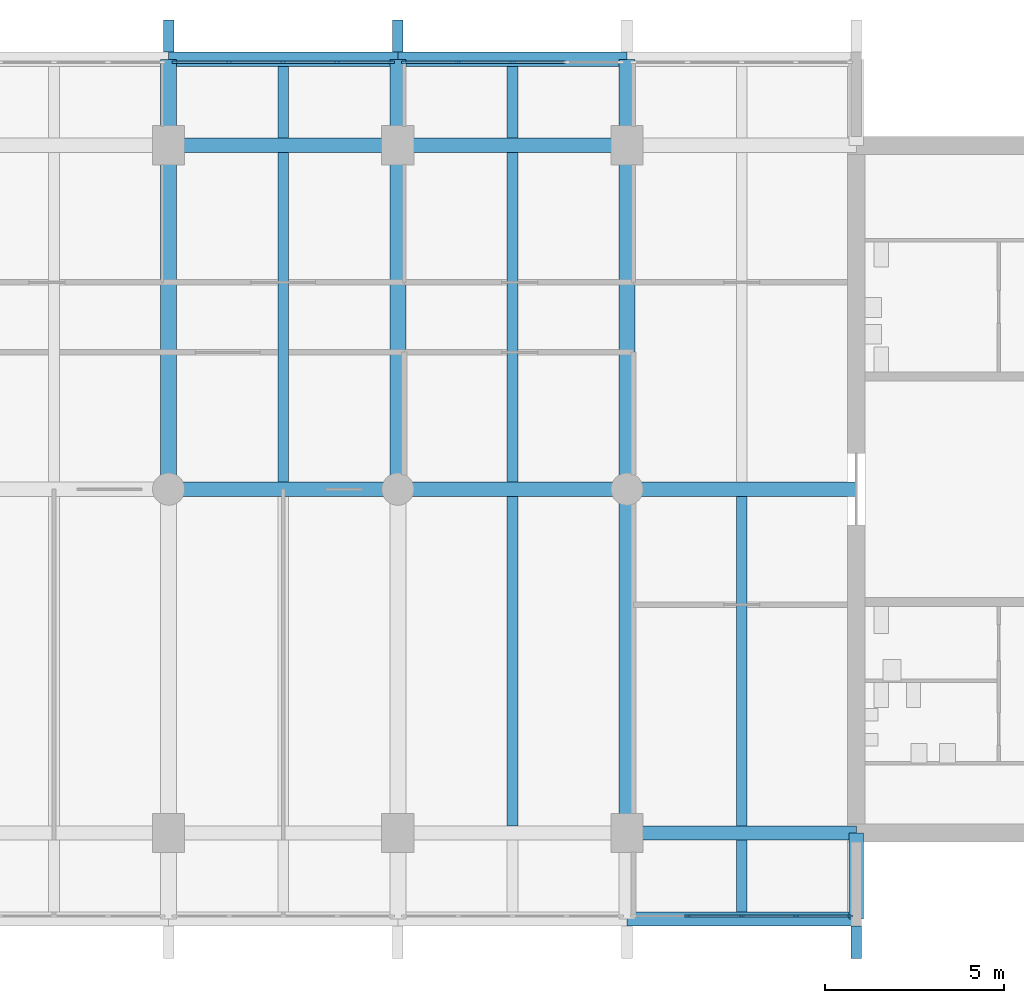
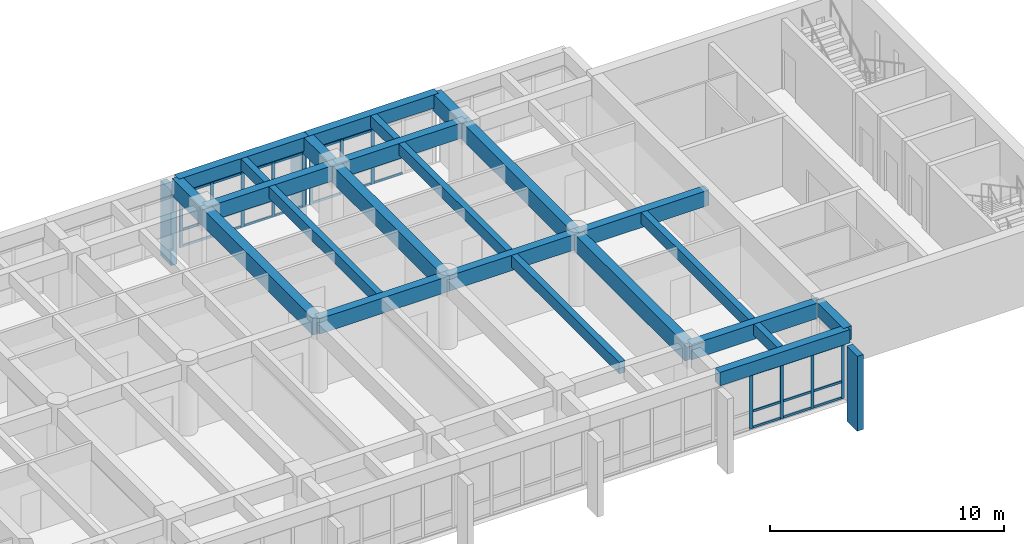
# One storey, part 5 of 15: 44 members, 24 beams, 3 elements without a shape of their own.
"""IFC4 building model written with IfcOpenShell, lengths in metres."""

from ifc_helpers import new_model, si_unit, direction, frame, origin, origin_2d, place, context, subcontext, project, spatial, rectangle, extrude, material, layer, layer_set, material_profile, profile_set, type_object, element, aggregate, save


model = new_model("IFC4")

# Units and contexts
model_context = context("Model", 3, precision=1e-05, world=origin(), true_north=direction((0.0, 1.0)))
body_context = subcontext(model_context, "Body", "Model", "MODEL_VIEW")
ifc_project = project(units=[si_unit("LENGTHUNIT", "METRE"), si_unit("AREAUNIT", "SQUARE_METRE"), si_unit("VOLUMEUNIT", "CUBIC_METRE"), si_unit("PLANEANGLEUNIT", "RADIAN"), si_unit("MASSUNIT", "GRAM", prefix="KILO")], contexts=[model_context])

# Site, building, storey
site_placement = place(None, origin())
site = spatial("IfcSite", under=ifc_project, at=site_placement, CompositionType="ELEMENT")
building_placement = place(site_placement, origin())
building = spatial("IfcBuilding", under=site, at=building_placement, Name="Fogon Plaza Fire Station and Headquarters Tower", CompositionType="ELEMENT")
storey_placement = place(building_placement, frame((0.0, 0.0, 44.39990234375)))
storey = spatial("IfcBuildingStorey", under=building, at=storey_placement, Name="L11", CompositionType="ELEMENT", Elevation=44.39990234375)

# Beams
ifc_material_1 = material(Name="Concrete C40", Category="concrete")
ifc_material_profile_1 = material_profile(ifc_material_1, rectangle(XDim=0.39990234375, YDim=0.699951171875, at=origin_2d()), Name="RC 400x700")
ifc_profile_set_1 = profile_set([ifc_material_profile_1], Name="Concrete C40")
beam_type_1 = type_object("IfcBeamType", Name="BEAM RC 400x700", PredefinedType="BEAM", material=ifc_profile_set_1)
for number, where, z_axis, x_axis, name in (
    (1, (57.60009765625, 31.199951171875, 3.330078125), (1.0, 0.0, 0.0), (0.0, 1.0, 0.0), "beam-L11-044"),
    (2, (44.800048828125, 55.199951171875, 3.330078125), (1.0, 0.0, 0.0), (0.0, 1.0, 0.0), "beam-L11-048"),
):
    element("IfcBeam", number, at=place(storey_placement, frame(where, z_axis=z_axis, x_axis=x_axis)), inside=storey, type_object=beam_type_1, Name=name, PredefinedType="BEAM", context=body_context, shape_type="SweptSolid", body=[
        extrude(rectangle(XDim=0.39990234375, YDim=0.699951171875, at=origin_2d()), origin(), (0.0, 0.0, 1.0), 6.39990234375),
    ])
beam_1_placement = place(storey_placement, frame((51.199951171875, 55.199951171875, 3.330078125), z_axis=(1.0, 0.0, 0.0), x_axis=(0.0, 1.0, 0.0)))
element("IfcBeam", 3, at=beam_1_placement, inside=storey, type_object=beam_type_1, Name="beam-L11-049", PredefinedType="BEAM", context=body_context, shape_type="SweptSolid", body=[
    extrude(rectangle(XDim=0.39990234375, YDim=0.699951171875, at=origin_2d()), origin(), (0.0, 0.0, 1.0), 6.400146484375),
])
ifc_material_2 = material(Name="Concrete C40", Category="concrete")
ifc_material_profile_2 = material_profile(ifc_material_2, rectangle(XDim=0.39990234375, YDim=0.699951171875, at=origin_2d()), Name="RC 400x700")
ifc_profile_set_2 = profile_set([ifc_material_profile_2], Name="Concrete C40")
beam_type_2 = type_object("IfcBeamType", Name="BEAM RC 400x700 SPAN 0.0 TO 3.0 M", PredefinedType="BEAM", material=ifc_profile_set_2)
beam_2_placement = place(storey_placement, frame((64.0, 31.199951171875, 3.330078125), z_axis=(0.0, 1.0, 0.0), x_axis=(-1.0, 0.0, 0.0)))
element("IfcBeam", 4, at=beam_2_placement, inside=storey, type_object=beam_type_2, Name="beam-L11-053", PredefinedType="BEAM", context=body_context, shape_type="SweptSolid", body=[
    extrude(rectangle(XDim=0.39990234375, YDim=0.699951171875, at=origin_2d()), origin(), (0.0, 0.0, 1.0), 2.400146484375),
])
ifc_material_3 = material(Name="Concrete C40", Category="concrete")
ifc_material_profile_3 = material_profile(ifc_material_3, rectangle(XDim=0.39990234375, YDim=0.800048828125, at=origin_2d()), Name="RC 400x800")
ifc_profile_set_3 = profile_set([ifc_material_profile_3], Name="Concrete C40")
beam_type_3 = type_object("IfcBeamType", Name="BEAM RC 400x800", PredefinedType="BEAM", material=ifc_profile_set_3)
for number, where, z_axis, x_axis, name in (
    (5, (57.60009765625, 33.60009765625, 3.280029296875), (1.0, 0.0, 0.0), (0.0, 1.0, 0.0), "beam-L11-026"),
    (6, (44.800048828125, 43.199951171875, 3.280029296875), (1.0, 0.0, 0.0), (0.0, 1.0, 0.0), "beam-L11-030"),
):
    element("IfcBeam", number, at=place(storey_placement, frame(where, z_axis=z_axis, x_axis=x_axis)), inside=storey, type_object=beam_type_3, Name=name, PredefinedType="BEAM", context=body_context, shape_type="SweptSolid", body=[
        extrude(rectangle(XDim=0.39990234375, YDim=0.800048828125, at=origin_2d()), origin(), (0.0, 0.0, 1.0), 6.39990234375),
    ])
beam_3_placement = place(storey_placement, frame((51.199951171875, 43.199951171875, 3.280029296875), z_axis=(1.0, 0.0, 0.0), x_axis=(0.0, 1.0, 0.0)))
element("IfcBeam", 7, at=beam_3_placement, inside=storey, type_object=beam_type_3, Name="beam-L11-031", PredefinedType="BEAM", context=body_context, shape_type="SweptSolid", body=[
    extrude(rectangle(XDim=0.39990234375, YDim=0.800048828125, at=origin_2d()), origin(), (0.0, 0.0, 1.0), 6.400146484375),
])
for number, where, z_axis, x_axis, name in (
    (8, (57.60009765625, 43.199951171875, 3.280029296875), (1.0, 0.0, 0.0), (0.0, 1.0, 0.0), "beam-L11-032"),
    (9, (44.800048828125, 52.800048828125, 3.280029296875), (1.0, 0.0, 0.0), (0.0, 1.0, 0.0), "beam-L11-036"),
):
    element("IfcBeam", number, at=place(storey_placement, frame(where, z_axis=z_axis, x_axis=x_axis)), inside=storey, type_object=beam_type_3, Name=name, PredefinedType="BEAM", context=body_context, shape_type="SweptSolid", body=[
        extrude(rectangle(XDim=0.39990234375, YDim=0.800048828125, at=origin_2d()), origin(), (0.0, 0.0, 1.0), 6.39990234375),
    ])
beam_4_placement = place(storey_placement, frame((51.199951171875, 52.800048828125, 3.280029296875), z_axis=(1.0, 0.0, 0.0), x_axis=(0.0, 1.0, 0.0)))
element("IfcBeam", 10, at=beam_4_placement, inside=storey, type_object=beam_type_3, Name="beam-L11-037", PredefinedType="BEAM", context=body_context, shape_type="SweptSolid", body=[
    extrude(rectangle(XDim=0.39990234375, YDim=0.800048828125, at=origin_2d()), origin(), (0.0, 0.0, 1.0), 6.400146484375),
])
ifc_material_4 = material(Name="Concrete C40", Category="concrete")
ifc_material_profile_4 = material_profile(ifc_material_4, rectangle(XDim=0.449951171875, YDim=0.89990234375, at=origin_2d()), Name="RC 450x900")
ifc_profile_set_4 = profile_set([ifc_material_profile_4], Name="Concrete C40")
beam_type_4 = type_object("IfcBeamType", Name="BEAM RC 450x900", PredefinedType="BEAM", material=ifc_profile_set_4)
for number, where, z_axis, x_axis, name in (
    (11, (44.800048828125, 43.199951171875, 3.22998046875), (0.0, 1.0, 0.0), (-1.0, 0.0, 0.0), "beam-L11-011"),
    (12, (51.199951171875, 43.199951171875, 3.22998046875), (0.0, 1.0, 0.0), (-1.0, 0.0, 0.0), "beam-L11-015"),
):
    element("IfcBeam", number, at=place(storey_placement, frame(where, z_axis=z_axis, x_axis=x_axis)), inside=storey, type_object=beam_type_4, Name=name, PredefinedType="BEAM", context=body_context, shape_type="SweptSolid", body=[
        extrude(rectangle(XDim=0.449951171875, YDim=0.89990234375, at=origin_2d()), origin(), (0.0, 0.0, 1.0), 9.60009765625),
    ])
beam_5_placement = place(storey_placement, frame((57.60009765625, 33.60009765625, 3.22998046875), z_axis=(0.0, 1.0, 0.0), x_axis=(-1.0, 0.0, 0.0)))
element("IfcBeam", 13, at=beam_5_placement, inside=storey, type_object=beam_type_4, Name="beam-L11-018", PredefinedType="BEAM", context=body_context, shape_type="SweptSolid", body=[
    extrude(rectangle(XDim=0.449951171875, YDim=0.89990234375, at=origin_2d()), origin(), (0.0, 0.0, 1.0), 9.599853515625),
])
beam_6_placement = place(storey_placement, frame((57.60009765625, 43.199951171875, 3.22998046875), z_axis=(0.0, 1.0, 0.0), x_axis=(-1.0, 0.0, 0.0)))
element("IfcBeam", 14, at=beam_6_placement, inside=storey, type_object=beam_type_4, Name="beam-L11-019", PredefinedType="BEAM", context=body_context, shape_type="SweptSolid", body=[
    extrude(rectangle(XDim=0.449951171875, YDim=0.89990234375, at=origin_2d()), origin(), (0.0, 0.0, 1.0), 9.60009765625),
])
ifc_material_5 = material(Name="Concrete C40", Category="concrete")
ifc_material_profile_5 = material_profile(ifc_material_5, rectangle(XDim=0.449951171875, YDim=0.89990234375, at=origin_2d()), Name="RC 450x900")
ifc_profile_set_5 = profile_set([ifc_material_profile_5], Name="Concrete C40")
beam_type_5 = type_object("IfcBeamType", Name="BEAM RC 450x900 SPAN 0.0 TO 3.0 M", PredefinedType="BEAM", material=ifc_profile_set_5)
for number, where, z_axis, x_axis, name in (
    (15, (44.800048828125, 52.800048828125, 3.22998046875), (0.0, 1.0, 0.0), (-1.0, 0.0, 0.0), "beam-L11-012"),
    (16, (51.199951171875, 52.800048828125, 3.22998046875), (0.0, 1.0, 0.0), (-1.0, 0.0, 0.0), "beam-L11-016"),
    (17, (57.60009765625, 52.800048828125, 3.22998046875), (0.0, 1.0, 0.0), (-1.0, 0.0, 0.0), "beam-L11-020"),
):
    element("IfcBeam", number, at=place(storey_placement, frame(where, z_axis=z_axis, x_axis=x_axis)), inside=storey, type_object=beam_type_5, Name=name, PredefinedType="BEAM", context=body_context, shape_type="SweptSolid", body=[
        extrude(rectangle(XDim=0.449951171875, YDim=0.89990234375, at=origin_2d()), origin(), (0.0, 0.0, 1.0), 2.39990234375),
    ])

# Curtain wall, members
ifc_material_6 = material(Name="Aluminium and glass", Category="aluminium")
ifc_layer = layer(ifc_material_6, 0.14990234375)
ifc_layer_set = layer_set([ifc_layer], Name="Aluminium and glass")
curtain_wall_type = type_object("IfcCurtainWallType", Name="Unitised Curtain Wall Run 6100x2880", PredefinedType="NOTDEFINED", material=ifc_layer_set)
curtain_wall_1_placement = place(storey_placement, origin())
curtain_wall_1 = element("IfcCurtainWall", 18, at=curtain_wall_1_placement, inside=storey, type_object=curtain_wall_type, Name="CW-6100x2880 S6 L11", PredefinedType="NOTDEFINED")
ifc_material_7 = material(Name="Aluminium", Category="aluminium")
ifc_material_profile_6 = material_profile(ifc_material_7, rectangle(XDim=0.06005859375, YDim=0.159912109375, at=origin_2d()), Name="Curtain Wall Mullion 60x160")
ifc_profile_set_6 = profile_set([ifc_material_profile_6], Name="Aluminium")
member_type_1 = type_object("IfcMemberType", Name="Curtain Wall Mullion 60x160", PredefinedType="MULLION", material=ifc_profile_set_6)
member_1_placement = place(storey_placement, frame((59.2900390625, 31.280029296875, 0.0), z_axis=(0.0, 0.0, 1.0), x_axis=(0.0, 1.0, 0.0)))
member_1 = element("IfcMember", 19, at=member_1_placement, type_object=member_type_1, Name="CW-6100x2880 mullion 2", PredefinedType="MULLION", context=body_context, shape_type="SweptSolid", body=[
    extrude(rectangle(XDim=0.06005859375, YDim=0.159912109375, at=origin_2d()), origin(), (0.0, 0.0, 1.0), 2.880126953125),
])
member_2_placement = place(storey_placement, frame((60.800048828125, 31.280029296875, 0.0), z_axis=(0.0, 0.0, 1.0), x_axis=(0.0, 1.0, 0.0)))
member_2 = element("IfcMember", 20, at=member_2_placement, type_object=member_type_1, Name="CW-6100x2880 mullion 3", PredefinedType="MULLION", context=body_context, shape_type="SweptSolid", body=[
    extrude(rectangle(XDim=0.06005859375, YDim=0.159912109375, at=origin_2d()), origin(), (0.0, 0.0, 1.0), 2.880126953125),
])
member_3_placement = place(storey_placement, frame((62.31005859375, 31.280029296875, 0.0), z_axis=(0.0, 0.0, 1.0), x_axis=(0.0, 1.0, 0.0)))
member_3 = element("IfcMember", 21, at=member_3_placement, type_object=member_type_1, Name="CW-6100x2880 mullion 4", PredefinedType="MULLION", context=body_context, shape_type="SweptSolid", body=[
    extrude(rectangle(XDim=0.06005859375, YDim=0.159912109375, at=origin_2d()), origin(), (0.0, 0.0, 1.0), 2.880126953125),
])
member_4_placement = place(storey_placement, frame((63.820068359375, 31.280029296875, 0.0), z_axis=(0.0, 0.0, 1.0), x_axis=(0.0, 1.0, 0.0)))
member_4 = element("IfcMember", 22, at=member_4_placement, type_object=member_type_1, Name="CW-6100x2880 mullion 5", PredefinedType="MULLION", context=body_context, shape_type="SweptSolid", body=[
    extrude(rectangle(XDim=0.06005859375, YDim=0.159912109375, at=origin_2d()), origin(), (0.0, 0.0, 1.0), 2.880126953125),
])

curtain_wall_2_placement = place(storey_placement, origin())
curtain_wall_2 = element("IfcCurtainWall", 23, at=curtain_wall_2_placement, inside=storey, type_object=curtain_wall_type, Name="CW-6100x2880 N4 L11", PredefinedType="NOTDEFINED")
member_5_placement = place(storey_placement, frame((44.97998046875, 55.1201171875, 0.0), z_axis=(0.0, 0.0, 1.0), x_axis=(0.0, 1.0, 0.0)))
member_5 = element("IfcMember", 24, at=member_5_placement, type_object=member_type_1, Name="CW-6100x2880 mullion 1", PredefinedType="MULLION", context=body_context, shape_type="SweptSolid", body=[
    extrude(rectangle(XDim=0.06005859375, YDim=0.159912109375, at=origin_2d()), origin(), (0.0, 0.0, 1.0), 2.880126953125),
])
member_6_placement = place(storey_placement, frame((46.489990234375, 55.1201171875, 0.0), z_axis=(0.0, 0.0, 1.0), x_axis=(0.0, 1.0, 0.0)))
member_6 = element("IfcMember", 25, at=member_6_placement, type_object=member_type_1, Name="CW-6100x2880 mullion 2", PredefinedType="MULLION", context=body_context, shape_type="SweptSolid", body=[
    extrude(rectangle(XDim=0.06005859375, YDim=0.159912109375, at=origin_2d()), origin(), (0.0, 0.0, 1.0), 2.880126953125),
])
member_7_placement = place(storey_placement, frame((48.0, 55.1201171875, 0.0), z_axis=(0.0, 0.0, 1.0), x_axis=(0.0, 1.0, 0.0)))
member_7 = element("IfcMember", 26, at=member_7_placement, type_object=member_type_1, Name="CW-6100x2880 mullion 3", PredefinedType="MULLION", context=body_context, shape_type="SweptSolid", body=[
    extrude(rectangle(XDim=0.06005859375, YDim=0.159912109375, at=origin_2d()), origin(), (0.0, 0.0, 1.0), 2.880126953125),
])
member_8_placement = place(storey_placement, frame((49.510009765625, 55.1201171875, 0.0), z_axis=(0.0, 0.0, 1.0), x_axis=(0.0, 1.0, 0.0)))
member_8 = element("IfcMember", 27, at=member_8_placement, type_object=member_type_1, Name="CW-6100x2880 mullion 4", PredefinedType="MULLION", context=body_context, shape_type="SweptSolid", body=[
    extrude(rectangle(XDim=0.06005859375, YDim=0.159912109375, at=origin_2d()), origin(), (0.0, 0.0, 1.0), 2.880126953125),
])
member_9_placement = place(storey_placement, frame((51.02001953125, 55.1201171875, 0.0), z_axis=(0.0, 0.0, 1.0), x_axis=(0.0, 1.0, 0.0)))
member_9 = element("IfcMember", 28, at=member_9_placement, type_object=member_type_1, Name="CW-6100x2880 mullion 5", PredefinedType="MULLION", context=body_context, shape_type="SweptSolid", body=[
    extrude(rectangle(XDim=0.06005859375, YDim=0.159912109375, at=origin_2d()), origin(), (0.0, 0.0, 1.0), 2.880126953125),
])

curtain_wall_3_placement = place(storey_placement, origin())
curtain_wall_3 = element("IfcCurtainWall", 29, at=curtain_wall_3_placement, inside=storey, type_object=curtain_wall_type, Name="CW-6100x2880 N5 L11", PredefinedType="NOTDEFINED")
member_10_placement = place(storey_placement, frame((51.3798828125, 55.1201171875, 0.0), z_axis=(0.0, 0.0, 1.0), x_axis=(0.0, 1.0, 0.0)))
member_10 = element("IfcMember", 30, at=member_10_placement, type_object=member_type_1, Name="CW-6100x2880 mullion 1", PredefinedType="MULLION", context=body_context, shape_type="SweptSolid", body=[
    extrude(rectangle(XDim=0.06005859375, YDim=0.159912109375, at=origin_2d()), origin(), (0.0, 0.0, 1.0), 2.880126953125),
])
member_11_placement = place(storey_placement, frame((52.889892578125, 55.1201171875, 0.0), z_axis=(0.0, 0.0, 1.0), x_axis=(0.0, 1.0, 0.0)))
member_11 = element("IfcMember", 31, at=member_11_placement, type_object=member_type_1, Name="CW-6100x2880 mullion 2", PredefinedType="MULLION", context=body_context, shape_type="SweptSolid", body=[
    extrude(rectangle(XDim=0.06005859375, YDim=0.159912109375, at=origin_2d()), origin(), (0.0, 0.0, 1.0), 2.880126953125),
])
member_12_placement = place(storey_placement, frame((54.39990234375, 55.1201171875, 0.0), z_axis=(0.0, 0.0, 1.0), x_axis=(0.0, 1.0, 0.0)))
member_12 = element("IfcMember", 32, at=member_12_placement, type_object=member_type_1, Name="CW-6100x2880 mullion 3", PredefinedType="MULLION", context=body_context, shape_type="SweptSolid", body=[
    extrude(rectangle(XDim=0.06005859375, YDim=0.159912109375, at=origin_2d()), origin(), (0.0, 0.0, 1.0), 2.880126953125),
])

# Member
ifc_material_8 = material(Name="Aluminium", Category="aluminium")
ifc_material_profile_7 = material_profile(ifc_material_8, rectangle(XDim=0.06005859375, YDim=0.1201171875, at=origin_2d()), Name="Curtain Wall Transom 60x120")
ifc_profile_set_7 = profile_set([ifc_material_profile_7], Name="Aluminium")
member_type_2 = type_object("IfcMemberType", Name="Curtain Wall Transom 60x120", PredefinedType="USERDEFINED", material=ifc_profile_set_7)
member_13_placement = place(storey_placement, frame((59.320068359375, 31.280029296875, 0.06005859375), z_axis=(1.0, 0.0, 0.0), x_axis=(0.0, 1.0, 0.0)))
member_13 = element("IfcMember", 33, at=member_13_placement, type_object=member_type_2, Name="CW-6100x2880 transom 2.1", ObjectType="TRANSOM", PredefinedType="USERDEFINED", context=body_context, shape_type="SweptSolid", body=[
    extrude(rectangle(XDim=0.06005859375, YDim=0.1201171875, at=origin_2d()), origin(), (0.0, 0.0, 1.0), 1.449951171875),
])

member_14_placement = place(storey_placement, frame((59.320068359375, 31.280029296875, 0.900146484375), z_axis=(1.0, 0.0, 0.0), x_axis=(0.0, 1.0, 0.0)))
member_14 = element("IfcMember", 34, at=member_14_placement, type_object=member_type_2, Name="CW-6100x2880 transom 2.2", ObjectType="TRANSOM", PredefinedType="USERDEFINED", context=body_context, shape_type="SweptSolid", body=[
    extrude(rectangle(XDim=0.06005859375, YDim=0.1201171875, at=origin_2d()), origin(), (0.0, 0.0, 1.0), 1.449951171875),
])

member_15_placement = place(storey_placement, frame((59.320068359375, 31.280029296875, 2.820068359375), z_axis=(1.0, 0.0, 0.0), x_axis=(0.0, 1.0, 0.0)))
member_15 = element("IfcMember", 35, at=member_15_placement, type_object=member_type_2, Name="CW-6100x2880 transom 2.3", ObjectType="TRANSOM", PredefinedType="USERDEFINED", context=body_context, shape_type="SweptSolid", body=[
    extrude(rectangle(XDim=0.06005859375, YDim=0.1201171875, at=origin_2d()), origin(), (0.0, 0.0, 1.0), 1.449951171875),
])

member_16_placement = place(storey_placement, frame((60.830078125, 31.280029296875, 0.06005859375), z_axis=(1.0, 0.0, 0.0), x_axis=(0.0, 1.0, 0.0)))
member_16 = element("IfcMember", 36, at=member_16_placement, type_object=member_type_2, Name="CW-6100x2880 transom 3.1", ObjectType="TRANSOM", PredefinedType="USERDEFINED", context=body_context, shape_type="SweptSolid", body=[
    extrude(rectangle(XDim=0.06005859375, YDim=0.1201171875, at=origin_2d()), origin(), (0.0, 0.0, 1.0), 1.449951171875),
])

member_17_placement = place(storey_placement, frame((60.830078125, 31.280029296875, 0.900146484375), z_axis=(1.0, 0.0, 0.0), x_axis=(0.0, 1.0, 0.0)))
member_17 = element("IfcMember", 37, at=member_17_placement, type_object=member_type_2, Name="CW-6100x2880 transom 3.2", ObjectType="TRANSOM", PredefinedType="USERDEFINED", context=body_context, shape_type="SweptSolid", body=[
    extrude(rectangle(XDim=0.06005859375, YDim=0.1201171875, at=origin_2d()), origin(), (0.0, 0.0, 1.0), 1.449951171875),
])

member_18_placement = place(storey_placement, frame((60.830078125, 31.280029296875, 2.820068359375), z_axis=(1.0, 0.0, 0.0), x_axis=(0.0, 1.0, 0.0)))
member_18 = element("IfcMember", 38, at=member_18_placement, type_object=member_type_2, Name="CW-6100x2880 transom 3.3", ObjectType="TRANSOM", PredefinedType="USERDEFINED", context=body_context, shape_type="SweptSolid", body=[
    extrude(rectangle(XDim=0.06005859375, YDim=0.1201171875, at=origin_2d()), origin(), (0.0, 0.0, 1.0), 1.449951171875),
])

member_19_placement = place(storey_placement, frame((62.340087890625, 31.280029296875, 0.06005859375), z_axis=(1.0, 0.0, 0.0), x_axis=(0.0, 1.0, 0.0)))
member_19 = element("IfcMember", 39, at=member_19_placement, type_object=member_type_2, Name="CW-6100x2880 transom 4.1", ObjectType="TRANSOM", PredefinedType="USERDEFINED", context=body_context, shape_type="SweptSolid", body=[
    extrude(rectangle(XDim=0.06005859375, YDim=0.1201171875, at=origin_2d()), origin(), (0.0, 0.0, 1.0), 1.449951171875),
])

member_20_placement = place(storey_placement, frame((62.340087890625, 31.280029296875, 0.900146484375), z_axis=(1.0, 0.0, 0.0), x_axis=(0.0, 1.0, 0.0)))
member_20 = element("IfcMember", 40, at=member_20_placement, type_object=member_type_2, Name="CW-6100x2880 transom 4.2", ObjectType="TRANSOM", PredefinedType="USERDEFINED", context=body_context, shape_type="SweptSolid", body=[
    extrude(rectangle(XDim=0.06005859375, YDim=0.1201171875, at=origin_2d()), origin(), (0.0, 0.0, 1.0), 1.449951171875),
])

member_21_placement = place(storey_placement, frame((62.340087890625, 31.280029296875, 2.820068359375), z_axis=(1.0, 0.0, 0.0), x_axis=(0.0, 1.0, 0.0)))
member_21 = element("IfcMember", 41, at=member_21_placement, type_object=member_type_2, Name="CW-6100x2880 transom 4.3", ObjectType="TRANSOM", PredefinedType="USERDEFINED", context=body_context, shape_type="SweptSolid", body=[
    extrude(rectangle(XDim=0.06005859375, YDim=0.1201171875, at=origin_2d()), origin(), (0.0, 0.0, 1.0), 1.449951171875),
])

aggregate(curtain_wall_1, [member_1, member_2, member_3, member_4, member_13, member_14, member_15, member_16, member_17, member_18, member_19, member_20, member_21])

member_22_placement = place(storey_placement, frame((45.010009765625, 55.1201171875, 0.06005859375), z_axis=(1.0, 0.0, 0.0), x_axis=(0.0, 1.0, 0.0)))
member_22 = element("IfcMember", 42, at=member_22_placement, type_object=member_type_2, Name="CW-6100x2880 transom 1.1", ObjectType="TRANSOM", PredefinedType="USERDEFINED", context=body_context, shape_type="SweptSolid", body=[
    extrude(rectangle(XDim=0.06005859375, YDim=0.1201171875, at=origin_2d()), origin(), (0.0, 0.0, 1.0), 1.449951171875),
])

member_23_placement = place(storey_placement, frame((45.010009765625, 55.1201171875, 0.900146484375), z_axis=(1.0, 0.0, 0.0), x_axis=(0.0, 1.0, 0.0)))
member_23 = element("IfcMember", 43, at=member_23_placement, type_object=member_type_2, Name="CW-6100x2880 transom 1.2", ObjectType="TRANSOM", PredefinedType="USERDEFINED", context=body_context, shape_type="SweptSolid", body=[
    extrude(rectangle(XDim=0.06005859375, YDim=0.1201171875, at=origin_2d()), origin(), (0.0, 0.0, 1.0), 1.449951171875),
])

member_24_placement = place(storey_placement, frame((45.010009765625, 55.1201171875, 2.820068359375), z_axis=(1.0, 0.0, 0.0), x_axis=(0.0, 1.0, 0.0)))
member_24 = element("IfcMember", 44, at=member_24_placement, type_object=member_type_2, Name="CW-6100x2880 transom 1.3", ObjectType="TRANSOM", PredefinedType="USERDEFINED", context=body_context, shape_type="SweptSolid", body=[
    extrude(rectangle(XDim=0.06005859375, YDim=0.1201171875, at=origin_2d()), origin(), (0.0, 0.0, 1.0), 1.449951171875),
])

member_25_placement = place(storey_placement, frame((46.52001953125, 55.1201171875, 0.06005859375), z_axis=(1.0, 0.0, 0.0), x_axis=(0.0, 1.0, 0.0)))
member_25 = element("IfcMember", 45, at=member_25_placement, type_object=member_type_2, Name="CW-6100x2880 transom 2.1", ObjectType="TRANSOM", PredefinedType="USERDEFINED", context=body_context, shape_type="SweptSolid", body=[
    extrude(rectangle(XDim=0.06005859375, YDim=0.1201171875, at=origin_2d()), origin(), (0.0, 0.0, 1.0), 1.449951171875),
])

member_26_placement = place(storey_placement, frame((46.52001953125, 55.1201171875, 0.900146484375), z_axis=(1.0, 0.0, 0.0), x_axis=(0.0, 1.0, 0.0)))
member_26 = element("IfcMember", 46, at=member_26_placement, type_object=member_type_2, Name="CW-6100x2880 transom 2.2", ObjectType="TRANSOM", PredefinedType="USERDEFINED", context=body_context, shape_type="SweptSolid", body=[
    extrude(rectangle(XDim=0.06005859375, YDim=0.1201171875, at=origin_2d()), origin(), (0.0, 0.0, 1.0), 1.449951171875),
])

member_27_placement = place(storey_placement, frame((46.52001953125, 55.1201171875, 2.820068359375), z_axis=(1.0, 0.0, 0.0), x_axis=(0.0, 1.0, 0.0)))
member_27 = element("IfcMember", 47, at=member_27_placement, type_object=member_type_2, Name="CW-6100x2880 transom 2.3", ObjectType="TRANSOM", PredefinedType="USERDEFINED", context=body_context, shape_type="SweptSolid", body=[
    extrude(rectangle(XDim=0.06005859375, YDim=0.1201171875, at=origin_2d()), origin(), (0.0, 0.0, 1.0), 1.449951171875),
])

member_28_placement = place(storey_placement, frame((48.030029296875, 55.1201171875, 0.06005859375), z_axis=(1.0, 0.0, 0.0), x_axis=(0.0, 1.0, 0.0)))
member_28 = element("IfcMember", 48, at=member_28_placement, type_object=member_type_2, Name="CW-6100x2880 transom 3.1", ObjectType="TRANSOM", PredefinedType="USERDEFINED", context=body_context, shape_type="SweptSolid", body=[
    extrude(rectangle(XDim=0.06005859375, YDim=0.1201171875, at=origin_2d()), origin(), (0.0, 0.0, 1.0), 1.449951171875),
])

member_29_placement = place(storey_placement, frame((48.030029296875, 55.1201171875, 0.900146484375), z_axis=(1.0, 0.0, 0.0), x_axis=(0.0, 1.0, 0.0)))
member_29 = element("IfcMember", 49, at=member_29_placement, type_object=member_type_2, Name="CW-6100x2880 transom 3.2", ObjectType="TRANSOM", PredefinedType="USERDEFINED", context=body_context, shape_type="SweptSolid", body=[
    extrude(rectangle(XDim=0.06005859375, YDim=0.1201171875, at=origin_2d()), origin(), (0.0, 0.0, 1.0), 1.449951171875),
])

member_30_placement = place(storey_placement, frame((48.030029296875, 55.1201171875, 2.820068359375), z_axis=(1.0, 0.0, 0.0), x_axis=(0.0, 1.0, 0.0)))
member_30 = element("IfcMember", 50, at=member_30_placement, type_object=member_type_2, Name="CW-6100x2880 transom 3.3", ObjectType="TRANSOM", PredefinedType="USERDEFINED", context=body_context, shape_type="SweptSolid", body=[
    extrude(rectangle(XDim=0.06005859375, YDim=0.1201171875, at=origin_2d()), origin(), (0.0, 0.0, 1.0), 1.449951171875),
])

member_31_placement = place(storey_placement, frame((49.5400390625, 55.1201171875, 0.06005859375), z_axis=(1.0, 0.0, 0.0), x_axis=(0.0, 1.0, 0.0)))
member_31 = element("IfcMember", 51, at=member_31_placement, type_object=member_type_2, Name="CW-6100x2880 transom 4.1", ObjectType="TRANSOM", PredefinedType="USERDEFINED", context=body_context, shape_type="SweptSolid", body=[
    extrude(rectangle(XDim=0.06005859375, YDim=0.1201171875, at=origin_2d()), origin(), (0.0, 0.0, 1.0), 1.449951171875),
])

member_32_placement = place(storey_placement, frame((49.5400390625, 55.1201171875, 0.900146484375), z_axis=(1.0, 0.0, 0.0), x_axis=(0.0, 1.0, 0.0)))
member_32 = element("IfcMember", 52, at=member_32_placement, type_object=member_type_2, Name="CW-6100x2880 transom 4.2", ObjectType="TRANSOM", PredefinedType="USERDEFINED", context=body_context, shape_type="SweptSolid", body=[
    extrude(rectangle(XDim=0.06005859375, YDim=0.1201171875, at=origin_2d()), origin(), (0.0, 0.0, 1.0), 1.449951171875),
])

member_33_placement = place(storey_placement, frame((49.5400390625, 55.1201171875, 2.820068359375), z_axis=(1.0, 0.0, 0.0), x_axis=(0.0, 1.0, 0.0)))
member_33 = element("IfcMember", 53, at=member_33_placement, type_object=member_type_2, Name="CW-6100x2880 transom 4.3", ObjectType="TRANSOM", PredefinedType="USERDEFINED", context=body_context, shape_type="SweptSolid", body=[
    extrude(rectangle(XDim=0.06005859375, YDim=0.1201171875, at=origin_2d()), origin(), (0.0, 0.0, 1.0), 1.449951171875),
])

aggregate(curtain_wall_2, [member_5, member_6, member_7, member_8, member_9, member_22, member_23, member_24, member_25, member_26, member_27, member_28, member_29, member_30, member_31, member_32, member_33])

member_34_placement = place(storey_placement, frame((51.409912109375, 55.1201171875, 0.06005859375), z_axis=(1.0, 0.0, 0.0), x_axis=(0.0, 1.0, 0.0)))
member_34 = element("IfcMember", 54, at=member_34_placement, type_object=member_type_2, Name="CW-6100x2880 transom 1.1", ObjectType="TRANSOM", PredefinedType="USERDEFINED", context=body_context, shape_type="SweptSolid", body=[
    extrude(rectangle(XDim=0.06005859375, YDim=0.1201171875, at=origin_2d()), origin(), (0.0, 0.0, 1.0), 1.4501953125),
])

member_35_placement = place(storey_placement, frame((51.409912109375, 55.1201171875, 0.900146484375), z_axis=(1.0, 0.0, 0.0), x_axis=(0.0, 1.0, 0.0)))
member_35 = element("IfcMember", 55, at=member_35_placement, type_object=member_type_2, Name="CW-6100x2880 transom 1.2", ObjectType="TRANSOM", PredefinedType="USERDEFINED", context=body_context, shape_type="SweptSolid", body=[
    extrude(rectangle(XDim=0.06005859375, YDim=0.1201171875, at=origin_2d()), origin(), (0.0, 0.0, 1.0), 1.4501953125),
])

member_36_placement = place(storey_placement, frame((51.409912109375, 55.1201171875, 2.820068359375), z_axis=(1.0, 0.0, 0.0), x_axis=(0.0, 1.0, 0.0)))
member_36 = element("IfcMember", 56, at=member_36_placement, type_object=member_type_2, Name="CW-6100x2880 transom 1.3", ObjectType="TRANSOM", PredefinedType="USERDEFINED", context=body_context, shape_type="SweptSolid", body=[
    extrude(rectangle(XDim=0.06005859375, YDim=0.1201171875, at=origin_2d()), origin(), (0.0, 0.0, 1.0), 1.4501953125),
])

member_37_placement = place(storey_placement, frame((52.919921875, 55.1201171875, 0.06005859375), z_axis=(1.0, 0.0, 0.0), x_axis=(0.0, 1.0, 0.0)))
member_37 = element("IfcMember", 57, at=member_37_placement, type_object=member_type_2, Name="CW-6100x2880 transom 2.1", ObjectType="TRANSOM", PredefinedType="USERDEFINED", context=body_context, shape_type="SweptSolid", body=[
    extrude(rectangle(XDim=0.06005859375, YDim=0.1201171875, at=origin_2d()), origin(), (0.0, 0.0, 1.0), 1.4501953125),
])

member_38_placement = place(storey_placement, frame((52.919921875, 55.1201171875, 0.900146484375), z_axis=(1.0, 0.0, 0.0), x_axis=(0.0, 1.0, 0.0)))
member_38 = element("IfcMember", 58, at=member_38_placement, type_object=member_type_2, Name="CW-6100x2880 transom 2.2", ObjectType="TRANSOM", PredefinedType="USERDEFINED", context=body_context, shape_type="SweptSolid", body=[
    extrude(rectangle(XDim=0.06005859375, YDim=0.1201171875, at=origin_2d()), origin(), (0.0, 0.0, 1.0), 1.4501953125),
])

member_39_placement = place(storey_placement, frame((52.919921875, 55.1201171875, 2.820068359375), z_axis=(1.0, 0.0, 0.0), x_axis=(0.0, 1.0, 0.0)))
member_39 = element("IfcMember", 59, at=member_39_placement, type_object=member_type_2, Name="CW-6100x2880 transom 2.3", ObjectType="TRANSOM", PredefinedType="USERDEFINED", context=body_context, shape_type="SweptSolid", body=[
    extrude(rectangle(XDim=0.06005859375, YDim=0.1201171875, at=origin_2d()), origin(), (0.0, 0.0, 1.0), 1.4501953125),
])

member_40_placement = place(storey_placement, frame((54.429931640625, 55.1201171875, 0.06005859375), z_axis=(1.0, 0.0, 0.0), x_axis=(0.0, 1.0, 0.0)))
member_40 = element("IfcMember", 60, at=member_40_placement, type_object=member_type_2, Name="CW-6100x2880 transom 3.1", ObjectType="TRANSOM", PredefinedType="USERDEFINED", context=body_context, shape_type="SweptSolid", body=[
    extrude(rectangle(XDim=0.06005859375, YDim=0.1201171875, at=origin_2d()), origin(), (0.0, 0.0, 1.0), 1.449951171875),
])

member_41_placement = place(storey_placement, frame((54.429931640625, 55.1201171875, 0.900146484375), z_axis=(1.0, 0.0, 0.0), x_axis=(0.0, 1.0, 0.0)))
member_41 = element("IfcMember", 61, at=member_41_placement, type_object=member_type_2, Name="CW-6100x2880 transom 3.2", ObjectType="TRANSOM", PredefinedType="USERDEFINED", context=body_context, shape_type="SweptSolid", body=[
    extrude(rectangle(XDim=0.06005859375, YDim=0.1201171875, at=origin_2d()), origin(), (0.0, 0.0, 1.0), 1.449951171875),
])

aggregate(curtain_wall_3, [member_10, member_11, member_12, member_34, member_35, member_36, member_37, member_38, member_39, member_40, member_41])

# Beams
ifc_material_9 = material(Name="Concrete C40", Category="concrete")
ifc_material_profile_8 = material_profile(ifc_material_9, rectangle(XDim=0.300048828125, YDim=0.60009765625, at=origin_2d()), Name="RC 300x600")
ifc_profile_set_8 = profile_set([ifc_material_profile_8], Name="Concrete C40")
beam_type_6 = type_object("IfcBeamType", Name="JOIST RC 300x600", PredefinedType="JOIST", material=ifc_profile_set_8)
beam_7_placement = place(storey_placement, frame((48.0, 43.39990234375, 3.380126953125), z_axis=(0.0, 1.0, 0.0), x_axis=(-1.0, 0.0, 0.0)))
element("IfcBeam", 62, at=beam_7_placement, inside=storey, type_object=beam_type_6, Name="beam-L11-069", PredefinedType="JOIST", context=body_context, shape_type="SweptSolid", body=[
    extrude(rectangle(XDim=0.300048828125, YDim=0.60009765625, at=origin_2d()), origin(), (0.0, 0.0, 1.0), 9.2001953125),
])
beam_8_placement = place(storey_placement, frame((54.39990234375, 33.800048828125, 3.380126953125), z_axis=(0.0, 1.0, 0.0), x_axis=(-1.0, 0.0, 0.0)))
element("IfcBeam", 63, at=beam_8_placement, inside=storey, type_object=beam_type_6, Name="beam-L11-072", PredefinedType="JOIST", context=body_context, shape_type="SweptSolid", body=[
    extrude(rectangle(XDim=0.300048828125, YDim=0.60009765625, at=origin_2d()), origin(), (0.0, 0.0, 1.0), 9.199951171875),
])
beam_9_placement = place(storey_placement, frame((54.39990234375, 43.39990234375, 3.380126953125), z_axis=(0.0, 1.0, 0.0), x_axis=(-1.0, 0.0, 0.0)))
element("IfcBeam", 64, at=beam_9_placement, inside=storey, type_object=beam_type_6, Name="beam-L11-073", PredefinedType="JOIST", context=body_context, shape_type="SweptSolid", body=[
    extrude(rectangle(XDim=0.300048828125, YDim=0.60009765625, at=origin_2d()), origin(), (0.0, 0.0, 1.0), 9.2001953125),
])
beam_10_placement = place(storey_placement, frame((60.800048828125, 33.800048828125, 3.380126953125), z_axis=(0.0, 1.0, 0.0), x_axis=(-1.0, 0.0, 0.0)))
element("IfcBeam", 65, at=beam_10_placement, inside=storey, type_object=beam_type_6, Name="beam-L11-076", PredefinedType="JOIST", context=body_context, shape_type="SweptSolid", body=[
    extrude(rectangle(XDim=0.300048828125, YDim=0.60009765625, at=origin_2d()), origin(), (0.0, 0.0, 1.0), 9.199951171875),
])
ifc_material_10 = material(Name="Concrete C40", Category="concrete")
ifc_material_profile_9 = material_profile(ifc_material_10, rectangle(XDim=0.300048828125, YDim=0.60009765625, at=origin_2d()), Name="RC 300x600")
ifc_profile_set_9 = profile_set([ifc_material_profile_9], Name="Concrete C40")
beam_type_7 = type_object("IfcBeamType", Name="JOIST RC 300x600 SPAN 0.0 TO 3.0 M", PredefinedType="JOIST", material=ifc_profile_set_9)
for number, where, z_axis, x_axis, name in (
    (66, (48.0, 53.0, 3.380126953125), (0.0, 1.0, 0.0), (-1.0, 0.0, 0.0), "beam-L11-070"),
    (67, (54.39990234375, 53.0, 3.380126953125), (0.0, 1.0, 0.0), (-1.0, 0.0, 0.0), "beam-L11-074"),
    (68, (60.800048828125, 31.39990234375, 3.380126953125), (0.0, 1.0, 0.0), (-1.0, 0.0, 0.0), "beam-L11-075"),
):
    element("IfcBeam", number, at=place(storey_placement, frame(where, z_axis=z_axis, x_axis=x_axis)), inside=storey, type_object=beam_type_7, Name=name, PredefinedType="JOIST", context=body_context, shape_type="SweptSolid", body=[
        extrude(rectangle(XDim=0.300048828125, YDim=0.60009765625, at=origin_2d()), origin(), (0.0, 0.0, 1.0), 2.0),
    ])

# Members
ifc_material_11 = material(Name="Concrete C40 precast", Category="concrete")
ifc_material_profile_10 = material_profile(ifc_material_11, rectangle(XDim=0.300048828125, YDim=0.89990234375, at=origin_2d()), Name="Precast Concrete Post 300x900")
ifc_profile_set_10 = profile_set([ifc_material_profile_10], Name="Concrete C40 precast")
member_type_3 = type_object("IfcMemberType", Name="Precast Concrete Post 300x900", PredefinedType="POST", material=ifc_profile_set_10)
for number, where, z_axis, x_axis, name in (
    (69, (64.0, 30.550048828125, -1.02001953125), (0.0, 0.0, 1.0), (1.0, 0.0, 0.0), "Precast Post S L11"),
    (70, (44.800048828125, 55.85009765625, -1.02001953125), (0.0, 0.0, 1.0), (1.0, 0.0, 0.0), "Precast Post N L11"),
    (71, (51.199951171875, 55.85009765625, -1.02001953125), (0.0, 0.0, 1.0), (1.0, 0.0, 0.0), "Precast Post N L11"),
):
    element("IfcMember", number, at=place(storey_placement, frame(where, z_axis=z_axis, x_axis=x_axis)), inside=storey, type_object=member_type_3, Name=name, PredefinedType="POST", context=body_context, shape_type="SweptSolid", body=[
        extrude(rectangle(XDim=0.300048828125, YDim=0.89990234375, at=origin_2d()), origin(), (0.0, 0.0, 1.0), 3.900146484375),
    ])

save(model, "model.ifc")
